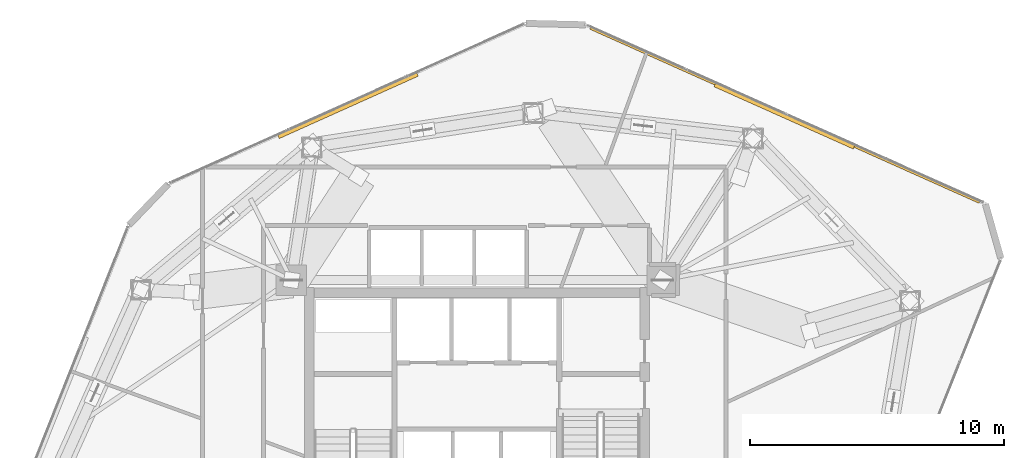
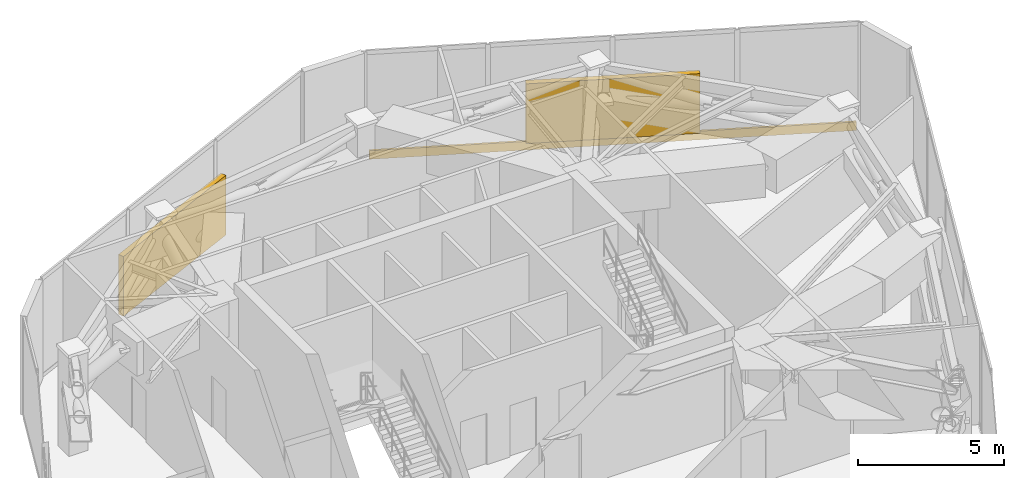
# One storey, part 21 of 21: 2 shading devices, 1 covering.
"""IFC4 building model written with IfcOpenShell, lengths in metres."""

import ifcopenshell
import ifcopenshell.guid

model = None  # the IFC model being written
_history = None  # IfcOwnerHistory: only IFC2X3 demands one
_inside = {}  # id of a spatial element -> (the spatial element, [elements in it])
_under = {}  # id of a project, library or spatial element -> (it, [spatial elements below it])
_declared = {}  # id of a project -> (the project, [libraries it declares])
_typed = {}  # id of a type object -> (the type object, [elements of that type])
_made_of = {}  # id of a material, layer set ... -> (it, [elements and type objects made of it])


def new_model(schema):
    """Start an empty IFC model of exactly this schema.

    Asked for "IFC4X3", IfcOpenShell would pick the latest addendum, in which some entities
    have other attributes; the version numbers below select the first issue.
    IFC2X3 requires an IfcOwnerHistory on every rooted entity: one is made here for all.
    """
    global model, _history
    if schema == "IFC4X3":
        model = ifcopenshell.file(schema_version=(4, 3, 0, 0))
    else:
        model = ifcopenshell.file(schema=schema)
    _inside.clear()
    _under.clear()
    _declared.clear()
    _typed.clear()
    _made_of.clear()
    _history = None
    if model.schema == "IFC2X3":
        org = make("IfcOrganization", Name="unknown")
        user = make(
            "IfcPersonAndOrganization",
            ThePerson=make("IfcPerson", FamilyName="unknown"),
            TheOrganization=org,
        )
        app = make(
            "IfcApplication",
            ApplicationDeveloper=org,
            Version="unknown",
            ApplicationFullName="unknown",
            ApplicationIdentifier="unknown",
        )
        _history = make(
            "IfcOwnerHistory",
            OwningUser=user,
            OwningApplication=app,
            ChangeAction="ADDED",
            CreationDate=0,
        )
    return model


def make(cls, **values):
    """One entity of the class cls with the attributes given. An attribute that is None is left unset."""
    return model.create_entity(
        cls, **{name: value for name, value in values.items() if value is not None}
    )


def rooted(cls, **values):
    """An entity with a GlobalId (a new one), such as an element, a storey or a relation."""
    return make(cls, GlobalId=ifcopenshell.guid.new(), OwnerHistory=_history, **values)


def si_unit(unit_type, name, prefix=None):
    """IfcSIUnit, for example si_unit("LENGTHUNIT", "METRE", prefix="MILLI")."""
    return make("IfcSIUnit", UnitType=unit_type, Prefix=prefix, Name=name)


def assignment(units):
    """IfcUnitAssignment: the units of a project."""
    return None if units is None else make("IfcUnitAssignment", Units=units)


def point(xyz):
    """IfcCartesianPoint."""
    return None if xyz is None else make("IfcCartesianPoint", Coordinates=xyz)


def direction(xyz):
    """IfcDirection."""
    return None if xyz is None else make("IfcDirection", DirectionRatios=xyz)


def frame(location, z_axis=None, x_axis=None):
    """IfcAxis2Placement3D, a coordinate frame: its origin and axes. An axis left out is left unset."""
    return make(
        "IfcAxis2Placement3D",
        Location=point(location),
        Axis=direction(z_axis),
        RefDirection=direction(x_axis),
    )


def frame_2d(location, x_axis=None):
    """IfcAxis2Placement2D, a coordinate frame in the plane: its origin and x axis."""
    return make(
        "IfcAxis2Placement2D", Location=point(location), RefDirection=direction(x_axis)
    )


def origin():
    """The frame at (0, 0, 0) with its axes left unset."""
    return frame((0.0, 0.0, 0.0))


def origin_2d():
    """The frame at (0, 0) in the plane with its x axis left unset."""
    return frame_2d((0.0, 0.0))


def place(relative_to, where):
    """IfcLocalPlacement: puts the frame where relative to a parent placement (None: the world)."""
    return make(
        "IfcLocalPlacement", PlacementRelTo=relative_to, RelativePlacement=where
    )


def context(
    kind, dimensions, precision=None, world=None, true_north=None, identifier=None
):
    """IfcGeometricRepresentationContext, for example the 3D "Model" context."""
    return make(
        "IfcGeometricRepresentationContext",
        ContextIdentifier=identifier,
        ContextType=kind,
        CoordinateSpaceDimension=dimensions,
        Precision=precision,
        WorldCoordinateSystem=world,
        TrueNorth=true_north,
    )


def subcontext(parent, identifier, kind, view, scale=None):
    """IfcGeometricRepresentationSubContext, for example "Body" below "Model"."""
    return make(
        "IfcGeometricRepresentationSubContext",
        ContextIdentifier=identifier,
        ContextType=kind,
        ParentContext=parent,
        TargetScale=scale,
        TargetView=view,
    )


def project(units=None, contexts=None):
    """IfcProject with its units and contexts."""
    return rooted(
        "IfcProject",
        Name="project",
        RepresentationContexts=contexts,
        UnitsInContext=assignment(units),
    )


def spatial(cls, under=None, at=None, **own):
    """A site, building, storey or space (cls), placed at a placement, below another one or the project."""
    s = rooted(cls, ObjectPlacement=at, **own)
    if under is not None:
        _under.setdefault(under.id(), (under, []))[1].append(s)
    return s


def profile(cls, at=None, kind="AREA", **sizes):
    """A parametric profile (cls). Its sizes go by their IFC names, for example OverallWidth=200.0."""
    return make(cls, ProfileType=kind, Position=at, **sizes)


def rectangle(**sizes):
    """IfcRectangleProfileDef."""
    return profile("IfcRectangleProfileDef", **sizes)


def extrude(swept, where, along, depth):
    """IfcExtrudedAreaSolid: the profile swept, set in the frame where, extruded along a direction by depth."""
    return make(
        "IfcExtrudedAreaSolid",
        SweptArea=swept,
        Position=where,
        ExtrudedDirection=direction(along),
        Depth=depth,
    )


def shape(context_of_items, identifier, shape_type, items):
    """IfcShapeRepresentation: the items that make up one representation, for example the "Body"."""
    return make(
        "IfcShapeRepresentation",
        ContextOfItems=context_of_items,
        RepresentationIdentifier=identifier,
        RepresentationType=shape_type,
        Items=items,
    )


def source(mapping_origin, context_of_items, identifier, shape_type, items):
    """IfcRepresentationMap: a shape defined once, which mapped items show again and again."""
    return make(
        "IfcRepresentationMap",
        MappingOrigin=mapping_origin,
        MappedRepresentation=shape(context_of_items, identifier, shape_type, items),
    )


def transform(
    local_origin,
    x_axis=None,
    y_axis=None,
    z_axis=None,
    scale=None,
    scale2=None,
    scale3=None,
    uniform=True,
):
    """IfcCartesianTransformationOperator3D, or its non-uniform kind. x_axis, y_axis, z_axis: its Axis1, 2, 3."""
    if uniform:
        return make(
            "IfcCartesianTransformationOperator3D",
            Axis1=direction(x_axis),
            Axis2=direction(y_axis),
            LocalOrigin=point(local_origin),
            Scale=scale,
            Axis3=direction(z_axis),
        )
    return make(
        "IfcCartesianTransformationOperator3DnonUniform",
        Axis1=direction(x_axis),
        Axis2=direction(y_axis),
        LocalOrigin=point(local_origin),
        Scale=scale,
        Axis3=direction(z_axis),
        Scale2=scale2,
        Scale3=scale3,
    )


def mapped(mapping_source, mapping_target):
    """IfcMappedItem: shows the shape of a source again, moved by a transform."""
    return make(
        "IfcMappedItem", MappingSource=mapping_source, MappingTarget=mapping_target
    )


def material(Name=None, Category=None):
    """IfcMaterial."""
    return make("IfcMaterial", Name=Name, Category=Category)


def layer(
    of_material, thickness, ventilated=None, Name=None, Category=None, Priority=None
):
    """IfcMaterialLayer: one layer of a wall or slab, of a material (None: an air gap)."""
    return make(
        "IfcMaterialLayer",
        Material=of_material,
        LayerThickness=thickness,
        IsVentilated=ventilated,
        Name=Name,
        Category=Category,
        Priority=Priority,
    )


def layer_set(layers, Name=None):
    """IfcMaterialLayerSet."""
    return make("IfcMaterialLayerSet", MaterialLayers=layers, LayerSetName=Name)


def made_of(thing, what):
    """Note that an element or type object is made of a material, layer set ...; save() writes the relation."""
    if what is not None:
        _made_of.setdefault(what.id(), (what, []))[1].append(thing)
    return thing


def type_object(cls, material=None, **own):
    """A type object (cls), such as IfcWallType, which elements share."""
    return made_of(rooted(cls, **own), material)


def type_shapes(of_type, sources):
    """Give a type object the sources (RepresentationMaps) that its elements show as mapped items."""
    of_type.RepresentationMaps = sources


def element(
    cls,
    number,
    at=None,
    inside=None,
    cuts=None,
    type_object=None,
    material=None,
    context=None,
    identifier="Body",
    shape_type=None,
    held_by="IfcProductDefinitionShape",
    body=None,
    shapes=None,
    **own,
):
    """One element of the class cls, such as IfcWall. Its Tag is "e" and its number.

    at: its placement. inside: the storey or other place that contains it. cuts: it is an
    opening in that element (IfcRelVoidsElement). A single representation is given by context,
    identifier, shape_type and body (its items); several are given by shapes. held_by: the class
    of the entity that holds the representations. save() writes the other relations.
    """
    e = rooted(cls, Tag="e%d" % number, ObjectPlacement=at, **own)
    if body is not None:
        shapes = [shape(context, identifier, shape_type, body)]
    if shapes is not None:
        e.Representation = make(held_by, Representations=shapes)
    if inside is not None:
        _inside.setdefault(inside.id(), (inside, []))[1].append(e)
    if cuts is not None:
        rooted(
            "IfcRelVoidsElement", RelatingBuildingElement=cuts, RelatedOpeningElement=e
        )
    if type_object is not None:
        _typed.setdefault(type_object.id(), (type_object, []))[1].append(e)
    return made_of(e, material)


def aggregate(whole, parts):
    """IfcRelAggregates: a whole, such as a stair, and the parts it consists of."""
    return rooted("IfcRelAggregates", RelatingObject=whole, RelatedObjects=parts)


def save(model, path):
    """Write the relations noted so far, then the file.

    IfcRelAggregates (storeys below a building ...), IfcRelContainedInSpatialStructure (elements
    in a storey), IfcRelDefinesByType, IfcRelAssociatesMaterial and IfcRelDeclares: one each for
    every whole, place, type object, material and project.
    """
    for whole, parts in _under.values():
        aggregate(whole, parts)
    for where, things in _inside.values():
        rooted(
            "IfcRelContainedInSpatialStructure",
            RelatedElements=things,
            RelatingStructure=where,
        )
    for kind, things in _typed.values():
        rooted("IfcRelDefinesByType", RelatedObjects=things, RelatingType=kind)
    for what, things in _made_of.values():
        rooted("IfcRelAssociatesMaterial", RelatedObjects=things, RelatingMaterial=what)
    for by, libraries in _declared.values():
        rooted("IfcRelDeclares", RelatingContext=by, RelatedDefinitions=libraries)
    model.write(path)


model = new_model("IFC4")

# Units and contexts
model_context = context("Model", 3, precision=1e-05, world=origin(), true_north=direction((0.0, 1.0)))
body_context = subcontext(model_context, "Body", "Model", "MODEL_VIEW")
ifc_project = project(units=[si_unit("LENGTHUNIT", "METRE"), si_unit("AREAUNIT", "SQUARE_METRE"), si_unit("VOLUMEUNIT", "CUBIC_METRE"), si_unit("PLANEANGLEUNIT", "RADIAN"), si_unit("MASSUNIT", "GRAM", prefix="KILO")], contexts=[model_context])

# Site, building, storey
site_placement = place(None, origin())
site = spatial("IfcSite", under=ifc_project, at=site_placement, CompositionType="ELEMENT")
building_placement = place(site_placement, origin())
building = spatial("IfcBuilding", under=site, at=building_placement, Name="Talar Marvaseh", CompositionType="ELEMENT")
storey_placement = place(building_placement, frame((0.0, 0.0, 162.39990234375)))
storey = spatial("IfcBuildingStorey", under=building, at=storey_placement, Name="L42", CompositionType="ELEMENT", Elevation=162.39990234375)

# Shading devices
ifc_material_1 = material(Name="Anodised Champagne Bronze Aluminium", Category="aluminium")
shading_device_type = type_object("IfcShadingDeviceType", Name="Acoustic Weatherproof Plant Louvre Bank", PredefinedType="USERDEFINED", material=ifc_material_1)
shared_shape_1 = source(origin(), body_context, "Body", "SweptSolid", [
    extrude(rectangle(XDim=6.0, YDim=0.219970703125, at=origin_2d()), origin(), (0.0, 0.0, 1.0), 2.5),
])
type_shapes(shading_device_type, [shared_shape_1])
for number, where, z_axis, x_axis, name in (
    (1, (20.9111328125, 43.797607421875, 0.0), (0.0, 0.0, 1.0), (0.912263150732, 0.40960461889, 0.0), "L42 Acoustic Plant Louvre Screen"),
    (2, (38.117919921875, 43.38427734375, 0.0), (0.0, 0.0, 1.0), (0.912834177233, -0.408330460381, 0.0), "L42 Acoustic Plant Louvre Screen"),
):
    element("IfcShadingDevice", number, at=place(storey_placement, frame(where, z_axis=z_axis, x_axis=x_axis)), inside=storey, type_object=shading_device_type, Name=name, ObjectType="LOUVRE", PredefinedType="USERDEFINED", context=body_context, shape_type="MappedRepresentation", body=[
        mapped(shared_shape_1, transform((0.0, 0.0, 0.0), x_axis=(1.0, 0.0, 0.0), y_axis=(0.0, 1.0, 0.0), z_axis=(0.0, 0.0, 1.0), scale=1.0)),
    ])

# Covering
ifc_material_2 = material(Name="Precast concrete C45/55", Category="concrete")
ifc_layer = layer(ifc_material_2, 0.080078125)
ifc_layer_set = layer_set([ifc_layer], Name="Precast concrete C45/55")
covering_type = type_object("IfcCoveringType", Name="Precast Limestone Spandrel Cladding Band", PredefinedType="CLADDING", material=ifc_layer_set)
shared_shape_2 = source(origin(), body_context, "Body", "SweptSolid", [
    extrude(rectangle(XDim=16.7919921875, YDim=0.080078125, at=origin_2d()), origin(), (0.0, 0.0, 1.0), 0.360107421875),
])
type_shapes(covering_type, [shared_shape_2])
covering_placement = place(storey_placement, frame((38.117919921875, 43.38427734375, -0.31982421875), z_axis=(0.0, 0.0, 1.0), x_axis=(0.912834177233, -0.408330460381, 0.0)))
element("IfcCovering", 3, at=covering_placement, inside=storey, type_object=covering_type, Name="L42 Precast Limestone Slab-Edge Spandrel Band", PredefinedType="CLADDING", context=body_context, shape_type="MappedRepresentation", body=[
    mapped(shared_shape_2, transform((0.0, 0.0, 0.0), x_axis=(1.0, 0.0, 0.0), y_axis=(0.0, 1.0, 0.0), z_axis=(0.0, 0.0, 1.0), scale=1.0)),
])

save(model, "model.ifc")
